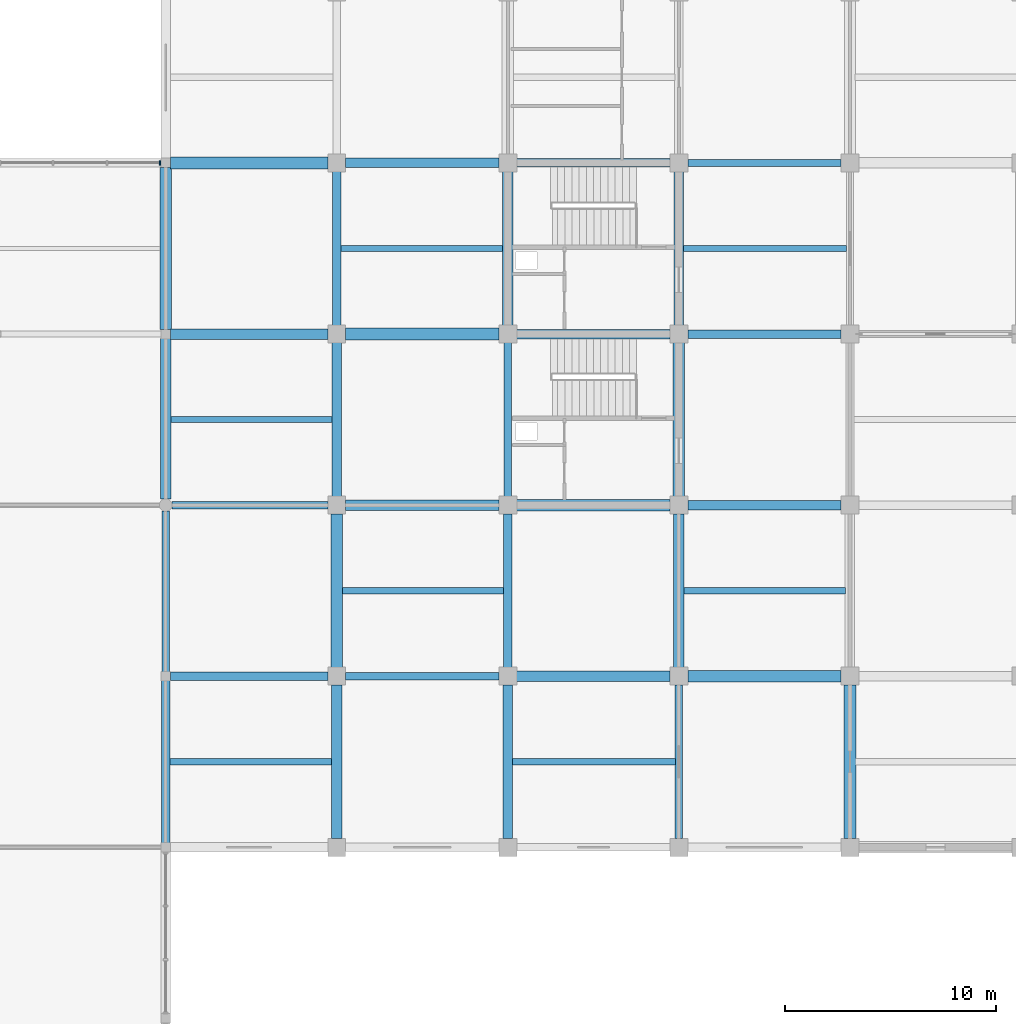
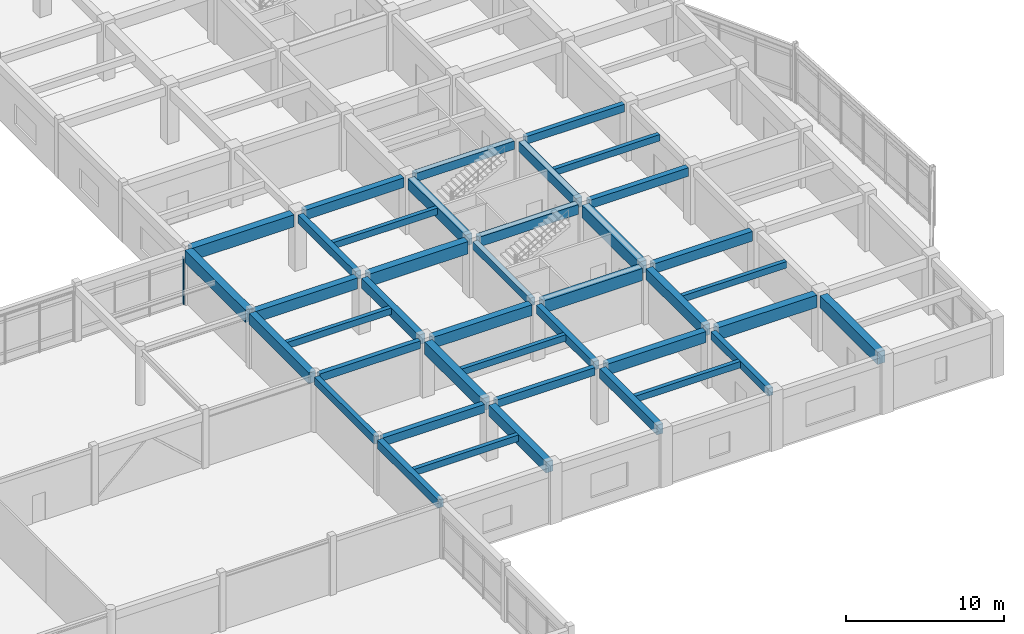
# One storey, part 35 of 93: 40 beams, 1 member, 1 element without a shape of its own.
"""IFC4 building model written with IfcOpenShell, lengths in metres."""

from ifc_helpers import new_model, si_unit, direction, frame, origin, origin_2d, place, context, subcontext, project, spatial, rectangle, extrude, material, layer, layer_set, material_profile, profile_set, type_object, element, aggregate, save


model = new_model("IFC4")

# Units and contexts
model_context = context("Model", 3, precision=1e-05, world=origin(), true_north=direction((0.0, 1.0)))
body_context = subcontext(model_context, "Body", "Model", "MODEL_VIEW")
ifc_project = project(units=[si_unit("LENGTHUNIT", "METRE"), si_unit("AREAUNIT", "SQUARE_METRE"), si_unit("VOLUMEUNIT", "CUBIC_METRE"), si_unit("PLANEANGLEUNIT", "RADIAN"), si_unit("MASSUNIT", "GRAM", prefix="KILO")], contexts=[model_context])

# Site, building, storey
site_placement = place(None, origin())
site = spatial("IfcSite", under=ifc_project, at=site_placement, CompositionType="ELEMENT")
building_placement = place(site_placement, origin())
building = spatial("IfcBuilding", under=site, at=building_placement, Name="Vaudrelin Polytechnic", CompositionType="ELEMENT")
storey_placement = place(building_placement, frame((0.0, 0.0, 5.10009765625)))
storey = spatial("IfcBuildingStorey", under=building, at=storey_placement, Name="L01", CompositionType="ELEMENT", Elevation=5.10009765625)

# Beams
ifc_material_1 = material(Name="Concrete 40 MPa", Category="concrete")
ifc_material_profile_1 = material_profile(ifc_material_1, rectangle(XDim=0.35009765625, YDim=0.60009765625, at=origin_2d()), Name="RC350x600")
ifc_profile_set_1 = profile_set([ifc_material_profile_1], Name="Concrete 40 MPa")
beam_type_1 = type_object("IfcBeamType", Name="BM-BM-RC3560", PredefinedType="BEAM", material=ifc_profile_set_1)
beam_1_placement = place(storey_placement, frame((129.60009765625, 24.510009765625, 4.010009765625), z_axis=(0.0, 1.0, 0.0), x_axis=(-1.0, 0.0, 0.0)))
element("IfcBeam", 1, at=beam_1_placement, inside=storey, type_object=beam_type_1, Name="L01 Y-beam 17-4", PredefinedType="BEAM", context=body_context, shape_type="SweptSolid", body=[
    extrude(rectangle(XDim=0.35009765625, YDim=0.60009765625, at=origin_2d()), origin(), (0.0, 0.0, 1.0), 7.60498046875),
])
beam_2_placement = place(storey_placement, frame((145.800048828125, 32.81005859375, 4.010009765625), z_axis=(0.0, 1.0, 0.0), x_axis=(-1.0, 0.0, 0.0)))
element("IfcBeam", 2, at=beam_2_placement, inside=storey, type_object=beam_type_1, Name="L01 Y-beam 19-5", PredefinedType="BEAM", context=body_context, shape_type="SweptSolid", body=[
    extrude(rectangle(XDim=0.35009765625, YDim=0.60009765625, at=origin_2d()), origin(), (0.0, 0.0, 1.0), 7.280029296875),
])
beam_3_placement = place(storey_placement, frame((153.89990234375, 16.610107421875, 4.010009765625), z_axis=(0.0, 1.0, 0.0), x_axis=(-1.0, 0.0, 0.0)))
element("IfcBeam", 3, at=beam_3_placement, inside=storey, type_object=beam_type_1, Name="L01 Y-beam 20-3", PredefinedType="BEAM", context=body_context, shape_type="SweptSolid", body=[
    extrude(rectangle(XDim=0.35009765625, YDim=0.60009765625, at=origin_2d()), origin(), (0.0, 0.0, 1.0), 7.27978515625),
])
beam_4_placement = place(storey_placement, frame((129.89599609375, 32.39990234375, 4.010009765625), z_axis=(1.0, 0.0, 0.0), x_axis=(0.0, 1.0, 0.0)))
element("IfcBeam", 4, at=beam_4_placement, inside=storey, type_object=beam_type_1, Name="L01 X-beam 17-5", PredefinedType="BEAM", context=body_context, shape_type="SweptSolid", body=[
    extrude(rectangle(XDim=0.35009765625, YDim=0.60009765625, at=origin_2d()), origin(), (0.0, 0.0, 1.0), 7.383056640625),
])
beam_5_placement = place(storey_placement, frame((138.12109375, 24.300048828125, 4.010009765625), z_axis=(1.0, 0.0, 0.0), x_axis=(0.0, 1.0, 0.0)))
element("IfcBeam", 5, at=beam_5_placement, inside=storey, type_object=beam_type_1, Name="L01 X-beam 18-4", PredefinedType="BEAM", context=body_context, shape_type="SweptSolid", body=[
    extrude(rectangle(XDim=0.35009765625, YDim=0.60009765625, at=origin_2d()), origin(), (0.0, 0.0, 1.0), 7.2578125),
])
beam_6_placement = place(storey_placement, frame((154.321044921875, 48.60009765625, 4.010009765625), z_axis=(1.0, 0.0, 0.0), x_axis=(0.0, 1.0, 0.0)))
element("IfcBeam", 6, at=beam_6_placement, inside=storey, type_object=beam_type_1, Name="L01 X-beam 20-7", PredefinedType="BEAM", context=body_context, shape_type="SweptSolid", body=[
    extrude(rectangle(XDim=0.35009765625, YDim=0.60009765625, at=origin_2d()), origin(), (0.0, 0.0, 1.0), 7.258056640625),
])
ifc_material_profile_2 = material_profile(ifc_material_1, rectangle(XDim=0.39990234375, YDim=0.64990234375, at=origin_2d()), Name="RC400x650")
ifc_profile_set_2 = profile_set([ifc_material_profile_2], Name="Concrete 40 MPa")
beam_type_2 = type_object("IfcBeamType", Name="BM-BM-RC4065", PredefinedType="BEAM", material=ifc_profile_set_2)
beam_7_placement = place(storey_placement, frame((129.60009765625, 16.409912109375, 3.98486328125), z_axis=(0.0, 1.0, 0.0), x_axis=(-1.0, 0.0, 0.0)))
element("IfcBeam", 7, at=beam_7_placement, inside=storey, type_object=beam_type_2, Name="L01 Y-beam 17-3", PredefinedType="BEAM", context=body_context, shape_type="SweptSolid", body=[
    extrude(rectangle(XDim=0.39990234375, YDim=0.64990234375, at=origin_2d()), origin(), (0.0, 0.0, 1.0), 7.68017578125),
])
for number, where, z_axis, x_axis, name in (
    (8, (137.699951171875, 40.909912109375, 3.98486328125), (0.0, 1.0, 0.0), (-1.0, 0.0, 0.0), "L01 Y-beam 18-6"),
    (9, (145.800048828125, 24.7099609375, 3.98486328125), (0.0, 1.0, 0.0), (-1.0, 0.0, 0.0), "L01 Y-beam 19-4"),
):
    element("IfcBeam", number, at=place(storey_placement, frame(where, z_axis=z_axis, x_axis=x_axis)), inside=storey, type_object=beam_type_2, Name=name, PredefinedType="BEAM", context=body_context, shape_type="SweptSolid", body=[
        extrude(rectangle(XDim=0.39990234375, YDim=0.64990234375, at=origin_2d()), origin(), (0.0, 0.0, 1.0), 7.280029296875),
    ])
beam_8_placement = place(storey_placement, frame((129.821044921875, 24.300048828125, 3.98486328125), z_axis=(1.0, 0.0, 0.0), x_axis=(0.0, 1.0, 0.0)))
element("IfcBeam", 10, at=beam_8_placement, inside=storey, type_object=beam_type_2, Name="L01 X-beam 17-4", PredefinedType="BEAM", context=body_context, shape_type="SweptSolid", body=[
    extrude(rectangle(XDim=0.39990234375, YDim=0.64990234375, at=origin_2d()), origin(), (0.0, 0.0, 1.0), 7.4580078125),
])
for number, where, z_axis, x_axis, name in (
    (11, (146.220947265625, 48.60009765625, 3.98486328125), (1.0, 0.0, 0.0), (0.0, 1.0, 0.0), "L01 X-beam 19-7"),
    (12, (154.321044921875, 40.5, 3.98486328125), (1.0, 0.0, 0.0), (0.0, 1.0, 0.0), "L01 X-beam 20-6"),
):
    element("IfcBeam", number, at=place(storey_placement, frame(where, z_axis=z_axis, x_axis=x_axis)), inside=storey, type_object=beam_type_2, Name=name, PredefinedType="BEAM", context=body_context, shape_type="SweptSolid", body=[
        extrude(rectangle(XDim=0.39990234375, YDim=0.64990234375, at=origin_2d()), origin(), (0.0, 0.0, 1.0), 7.258056640625),
    ])
ifc_material_profile_3 = material_profile(ifc_material_1, rectangle(XDim=0.449951171875, YDim=0.75, at=origin_2d()), Name="RC450x750")
ifc_profile_set_3 = profile_set([ifc_material_profile_3], Name="Concrete 40 MPa")
beam_type_3 = type_object("IfcBeamType", Name="BM-BM-RC4575", PredefinedType="BEAM", material=ifc_profile_set_3)
beam_9_placement = place(storey_placement, frame((137.699951171875, 32.81005859375, 3.934814453125), z_axis=(0.0, 1.0, 0.0), x_axis=(-1.0, 0.0, 0.0)))
element("IfcBeam", 13, at=beam_9_placement, inside=storey, type_object=beam_type_3, Name="L01 Y-beam 18-5", PredefinedType="BEAM", context=body_context, shape_type="SweptSolid", body=[
    extrude(rectangle(XDim=0.449951171875, YDim=0.75, at=origin_2d()), origin(), (0.0, 0.0, 1.0), 7.280029296875),
])
beam_10_placement = place(storey_placement, frame((145.800048828125, 16.610107421875, 3.934814453125), z_axis=(0.0, 1.0, 0.0), x_axis=(-1.0, 0.0, 0.0)))
element("IfcBeam", 14, at=beam_10_placement, inside=storey, type_object=beam_type_3, Name="L01 Y-beam 19-3", PredefinedType="BEAM", context=body_context, shape_type="SweptSolid", body=[
    extrude(rectangle(XDim=0.449951171875, YDim=0.75, at=origin_2d()), origin(), (0.0, 0.0, 1.0), 7.27978515625),
])
beam_11_placement = place(storey_placement, frame((153.89990234375, 40.909912109375, 3.934814453125), z_axis=(0.0, 1.0, 0.0), x_axis=(-1.0, 0.0, 0.0)))
element("IfcBeam", 15, at=beam_11_placement, inside=storey, type_object=beam_type_3, Name="L01 Y-beam 20-6", PredefinedType="BEAM", context=body_context, shape_type="SweptSolid", body=[
    extrude(rectangle(XDim=0.449951171875, YDim=0.75, at=origin_2d()), origin(), (0.0, 0.0, 1.0), 7.280029296875),
])
beam_12_placement = place(storey_placement, frame((138.12109375, 48.60009765625, 3.934814453125), z_axis=(1.0, 0.0, 0.0), x_axis=(0.0, 1.0, 0.0)))
element("IfcBeam", 16, at=beam_12_placement, inside=storey, type_object=beam_type_3, Name="L01 X-beam 18-7", PredefinedType="BEAM", context=body_context, shape_type="SweptSolid", body=[
    extrude(rectangle(XDim=0.449951171875, YDim=0.75, at=origin_2d()), origin(), (0.0, 0.0, 1.0), 7.2578125),
])
for number, where, z_axis, x_axis, name in (
    (17, (146.220947265625, 40.5, 3.934814453125), (1.0, 0.0, 0.0), (0.0, 1.0, 0.0), "L01 X-beam 19-6"),
    (18, (154.321044921875, 32.39990234375, 3.934814453125), (1.0, 0.0, 0.0), (0.0, 1.0, 0.0), "L01 X-beam 20-5"),
):
    element("IfcBeam", number, at=place(storey_placement, frame(where, z_axis=z_axis, x_axis=x_axis)), inside=storey, type_object=beam_type_3, Name=name, PredefinedType="BEAM", context=body_context, shape_type="SweptSolid", body=[
        extrude(rectangle(XDim=0.449951171875, YDim=0.75, at=origin_2d()), origin(), (0.0, 0.0, 1.0), 7.258056640625),
    ])
ifc_material_profile_4 = material_profile(ifc_material_1, rectangle(XDim=0.5, YDim=0.85009765625, at=origin_2d()), Name="RC500x850")
ifc_profile_set_4 = profile_set([ifc_material_profile_4], Name="Concrete 40 MPa")
beam_type_4 = type_object("IfcBeamType", Name="BM-BM-RC5085", PredefinedType="BEAM", material=ifc_profile_set_4)
beam_13_placement = place(storey_placement, frame((129.60009765625, 32.68505859375, 3.885009765625), z_axis=(0.0, 1.0, 0.0), x_axis=(-1.0, 0.0, 0.0)))
element("IfcBeam", 19, at=beam_13_placement, inside=storey, type_object=beam_type_4, Name="L01 Y-beam 17-5", PredefinedType="BEAM", context=body_context, shape_type="SweptSolid", body=[
    extrude(rectangle(XDim=0.5, YDim=0.85009765625, at=origin_2d()), origin(), (0.0, 0.0, 1.0), 7.60498046875),
])
beam_14_placement = place(storey_placement, frame((137.699951171875, 16.610107421875, 3.885009765625), z_axis=(0.0, 1.0, 0.0), x_axis=(-1.0, 0.0, 0.0)))
element("IfcBeam", 20, at=beam_14_placement, inside=storey, type_object=beam_type_4, Name="L01 Y-beam 18-3", PredefinedType="BEAM", context=body_context, shape_type="SweptSolid", body=[
    extrude(rectangle(XDim=0.5, YDim=0.85009765625, at=origin_2d()), origin(), (0.0, 0.0, 1.0), 7.27978515625),
])
for number, where, z_axis, x_axis, name in (
    (21, (145.800048828125, 40.909912109375, 3.885009765625), (0.0, 1.0, 0.0), (-1.0, 0.0, 0.0), "L01 Y-beam 19-6"),
    (22, (153.89990234375, 24.7099609375, 3.885009765625), (0.0, 1.0, 0.0), (-1.0, 0.0, 0.0), "L01 Y-beam 20-4"),
):
    element("IfcBeam", number, at=place(storey_placement, frame(where, z_axis=z_axis, x_axis=x_axis)), inside=storey, type_object=beam_type_4, Name=name, PredefinedType="BEAM", context=body_context, shape_type="SweptSolid", body=[
        extrude(rectangle(XDim=0.5, YDim=0.85009765625, at=origin_2d()), origin(), (0.0, 0.0, 1.0), 7.280029296875),
    ])
beam_15_placement = place(storey_placement, frame((129.821044921875, 40.5, 3.885009765625), z_axis=(1.0, 0.0, 0.0), x_axis=(0.0, 1.0, 0.0)))
element("IfcBeam", 23, at=beam_15_placement, inside=storey, type_object=beam_type_4, Name="L01 X-beam 17-6", PredefinedType="BEAM", context=body_context, shape_type="SweptSolid", body=[
    extrude(rectangle(XDim=0.5, YDim=0.85009765625, at=origin_2d()), origin(), (0.0, 0.0, 1.0), 7.4580078125),
])
beam_16_placement = place(storey_placement, frame((138.12109375, 32.39990234375, 3.885009765625), z_axis=(1.0, 0.0, 0.0), x_axis=(0.0, 1.0, 0.0)))
element("IfcBeam", 24, at=beam_16_placement, inside=storey, type_object=beam_type_4, Name="L01 X-beam 18-5", PredefinedType="BEAM", context=body_context, shape_type="SweptSolid", body=[
    extrude(rectangle(XDim=0.5, YDim=0.85009765625, at=origin_2d()), origin(), (0.0, 0.0, 1.0), 7.2578125),
])
beam_17_placement = place(storey_placement, frame((146.220947265625, 24.300048828125, 3.885009765625), z_axis=(1.0, 0.0, 0.0), x_axis=(0.0, 1.0, 0.0)))
element("IfcBeam", 25, at=beam_17_placement, inside=storey, type_object=beam_type_4, Name="L01 X-beam 19-4", PredefinedType="BEAM", context=body_context, shape_type="SweptSolid", body=[
    extrude(rectangle(XDim=0.5, YDim=0.85009765625, at=origin_2d()), origin(), (0.0, 0.0, 1.0), 7.258056640625),
])
ifc_material_2 = material(Name="Concrete 50 MPa", Category="concrete")
ifc_material_profile_5 = material_profile(ifc_material_2, rectangle(XDim=0.550048828125, YDim=0.949951171875, at=origin_2d()), Name="RC550x950")
ifc_profile_set_5 = profile_set([ifc_material_profile_5], Name="Concrete 50 MPa")
beam_type_5 = type_object("IfcBeamType", Name="BM-BM-RC5595", PredefinedType="BEAM", material=ifc_profile_set_5)
beam_18_placement = place(storey_placement, frame((129.60009765625, 40.7099609375, 3.8349609375), z_axis=(0.0, 1.0, 0.0), x_axis=(-1.0, 0.0, 0.0)))
element("IfcBeam", 26, at=beam_18_placement, inside=storey, type_object=beam_type_5, Name="L01 Y-beam 17-6", PredefinedType="BEAM", context=body_context, shape_type="SweptSolid", body=[
    extrude(rectangle(XDim=0.550048828125, YDim=0.949951171875, at=origin_2d()), origin(), (0.0, 0.0, 1.0), 7.679931640625),
])
for number, where, z_axis, x_axis, name in (
    (27, (137.699951171875, 24.7099609375, 3.8349609375), (0.0, 1.0, 0.0), (-1.0, 0.0, 0.0), "L01 Y-beam 18-4"),
    (28, (153.89990234375, 32.81005859375, 3.8349609375), (0.0, 1.0, 0.0), (-1.0, 0.0, 0.0), "L01 Y-beam 20-5"),
):
    element("IfcBeam", number, at=place(storey_placement, frame(where, z_axis=z_axis, x_axis=x_axis)), inside=storey, type_object=beam_type_5, Name=name, PredefinedType="BEAM", context=body_context, shape_type="SweptSolid", body=[
        extrude(rectangle(XDim=0.550048828125, YDim=0.949951171875, at=origin_2d()), origin(), (0.0, 0.0, 1.0), 7.280029296875),
    ])
beam_19_placement = place(storey_placement, frame((162.0, 16.610107421875, 3.8349609375), z_axis=(0.0, 1.0, 0.0), x_axis=(-1.0, 0.0, 0.0)))
element("IfcBeam", 29, at=beam_19_placement, inside=storey, type_object=beam_type_5, Name="L01 Y-beam 21-3", PredefinedType="BEAM", context=body_context, shape_type="SweptSolid", body=[
    extrude(rectangle(XDim=0.550048828125, YDim=0.949951171875, at=origin_2d()), origin(), (0.0, 0.0, 1.0), 7.27978515625),
])
beam_20_placement = place(storey_placement, frame((129.821044921875, 48.60009765625, 3.8349609375), z_axis=(1.0, 0.0, 0.0), x_axis=(0.0, 1.0, 0.0)))
element("IfcBeam", 30, at=beam_20_placement, inside=storey, type_object=beam_type_5, Name="L01 X-beam 17-7", PredefinedType="BEAM", context=body_context, shape_type="SweptSolid", body=[
    extrude(rectangle(XDim=0.550048828125, YDim=0.949951171875, at=origin_2d()), origin(), (0.0, 0.0, 1.0), 7.4580078125),
])
beam_21_placement = place(storey_placement, frame((138.12109375, 40.5, 3.8349609375), z_axis=(1.0, 0.0, 0.0), x_axis=(0.0, 1.0, 0.0)))
element("IfcBeam", 31, at=beam_21_placement, inside=storey, type_object=beam_type_5, Name="L01 X-beam 18-6", PredefinedType="BEAM", context=body_context, shape_type="SweptSolid", body=[
    extrude(rectangle(XDim=0.550048828125, YDim=0.949951171875, at=origin_2d()), origin(), (0.0, 0.0, 1.0), 7.2578125),
])
for number, where, z_axis, x_axis, name in (
    (32, (146.220947265625, 32.39990234375, 3.8349609375), (1.0, 0.0, 0.0), (0.0, 1.0, 0.0), "L01 X-beam 19-5"),
    (33, (154.321044921875, 24.300048828125, 3.8349609375), (1.0, 0.0, 0.0), (0.0, 1.0, 0.0), "L01 X-beam 20-4"),
):
    element("IfcBeam", number, at=place(storey_placement, frame(where, z_axis=z_axis, x_axis=x_axis)), inside=storey, type_object=beam_type_5, Name=name, PredefinedType="BEAM", context=body_context, shape_type="SweptSolid", body=[
        extrude(rectangle(XDim=0.550048828125, YDim=0.949951171875, at=origin_2d()), origin(), (0.0, 0.0, 1.0), 7.258056640625),
    ])
ifc_material_profile_6 = material_profile(ifc_material_1, rectangle(XDim=0.300048828125, YDim=0.5, at=origin_2d()), Name="RC300x500")
ifc_profile_set_6 = profile_set([ifc_material_profile_6], Name="Concrete 40 MPa")
beam_type_6 = type_object("IfcBeamType", Name="BM-JS-RC3050", PredefinedType="JOIST", material=ifc_profile_set_6)
beam_22_placement = place(storey_placement, frame((129.7958984375, 20.25, 4.059814453125), z_axis=(1.0, 0.0, 0.0), x_axis=(0.0, 1.0, 0.0)))
element("IfcBeam", 34, at=beam_22_placement, inside=storey, type_object=beam_type_6, Name="L01 floor joist 17-3", PredefinedType="JOIST", context=body_context, shape_type="SweptSolid", body=[
    extrude(rectangle(XDim=0.300048828125, YDim=0.5, at=origin_2d()), origin(), (0.0, 0.0, 1.0), 7.658203125),
])
for number, where, z_axis, x_axis, name in (
    (35, (129.845947265625, 36.449951171875, 4.059814453125), (1.0, 0.0, 0.0), (0.0, 1.0, 0.0), "L01 floor joist 17-5"),
    (36, (137.970947265625, 28.35009765625, 4.059814453125), (1.0, 0.0, 0.0), (0.0, 1.0, 0.0), "L01 floor joist 18-4"),
):
    element("IfcBeam", number, at=place(storey_placement, frame(where, z_axis=z_axis, x_axis=x_axis)), inside=storey, type_object=beam_type_6, Name=name, PredefinedType="JOIST", context=body_context, shape_type="SweptSolid", body=[
        extrude(rectangle(XDim=0.300048828125, YDim=0.5, at=origin_2d()), origin(), (0.0, 0.0, 1.0), 7.633056640625),
    ])
beam_23_placement = place(storey_placement, frame((137.89599609375, 44.550048828125, 4.059814453125), z_axis=(1.0, 0.0, 0.0), x_axis=(0.0, 1.0, 0.0)))
element("IfcBeam", 37, at=beam_23_placement, inside=storey, type_object=beam_type_6, Name="L01 floor joist 18-6", PredefinedType="JOIST", context=body_context, shape_type="SweptSolid", body=[
    extrude(rectangle(XDim=0.300048828125, YDim=0.5, at=origin_2d()), origin(), (0.0, 0.0, 1.0), 7.657958984375),
])
beam_24_placement = place(storey_placement, frame((146.02099609375, 20.25, 4.059814453125), z_axis=(1.0, 0.0, 0.0), x_axis=(0.0, 1.0, 0.0)))
element("IfcBeam", 38, at=beam_24_placement, inside=storey, type_object=beam_type_6, Name="L01 floor joist 19-3", PredefinedType="JOIST", context=body_context, shape_type="SweptSolid", body=[
    extrude(rectangle(XDim=0.300048828125, YDim=0.5, at=origin_2d()), origin(), (0.0, 0.0, 1.0), 7.7080078125),
])
beam_25_placement = place(storey_placement, frame((154.14599609375, 28.35009765625, 4.059814453125), z_axis=(1.0, 0.0, 0.0), x_axis=(0.0, 1.0, 0.0)))
element("IfcBeam", 39, at=beam_25_placement, inside=storey, type_object=beam_type_6, Name="L01 floor joist 20-4", PredefinedType="JOIST", context=body_context, shape_type="SweptSolid", body=[
    extrude(rectangle(XDim=0.300048828125, YDim=0.5, at=origin_2d()), origin(), (0.0, 0.0, 1.0), 7.633056640625),
])
beam_26_placement = place(storey_placement, frame((154.12109375, 44.550048828125, 4.059814453125), z_axis=(1.0, 0.0, 0.0), x_axis=(0.0, 1.0, 0.0)))
element("IfcBeam", 40, at=beam_26_placement, inside=storey, type_object=beam_type_6, Name="L01 floor joist 20-6", PredefinedType="JOIST", context=body_context, shape_type="SweptSolid", body=[
    extrude(rectangle(XDim=0.300048828125, YDim=0.5, at=origin_2d()), origin(), (0.0, 0.0, 1.0), 7.7080078125),
])

# Curtain wall, member
ifc_material_3 = material(Name="Thermally broken anodised aluminium AA 6063-T6 and low-e triple glazing", Category="aluminium")
ifc_layer = layer(ifc_material_3, 0.199951171875)
ifc_layer_set = layer_set([ifc_layer], Name="Thermally broken anodised aluminium AA 6063-T6 and low-e triple glazing")
curtain_wall_type = type_object("IfcCurtainWallType", Name="CW-CW-WG", PredefinedType="USERDEFINED", material=ifc_layer_set)
curtain_wall_placement = place(storey_placement, origin())
curtain_wall = element("IfcCurtainWall", 41, at=curtain_wall_placement, inside=storey, type_object=curtain_wall_type, Name="Curtain wall L01 CT_S_11", ObjectType="CURTAIN WALL", PredefinedType="USERDEFINED")
ifc_material_4 = material(Name="Anodised aluminium AA 6063-T6", Category="aluminium")
ifc_material_profile_7 = material_profile(ifc_material_4, rectangle(XDim=0.074951171875, YDim=0.219970703125, at=origin_2d()), Name="CWM-75x220")
ifc_profile_set_7 = profile_set([ifc_material_profile_7], Name="Anodised aluminium AA 6063-T6")
member_type = type_object("IfcMemberType", Name="MEM-CWM-220", PredefinedType="MULLION", material=ifc_profile_set_7)
member_placement = place(storey_placement, frame((129.3369140625, 48.60009765625, 0.0), z_axis=(0.0, 0.0, 1.0), x_axis=(1.0, 0.0, 0.0)))
member = element("IfcMember", 42, at=member_placement, type_object=member_type, Name="CT_S_11 mullion 4", PredefinedType="MULLION", context=body_context, shape_type="SweptSolid", body=[
    extrude(rectangle(XDim=0.074951171875, YDim=0.219970703125, at=origin_2d()), origin(), (0.0, 0.0, 1.0), 3.661865234375),
])
aggregate(curtain_wall, [member])

save(model, "model.ifc")
